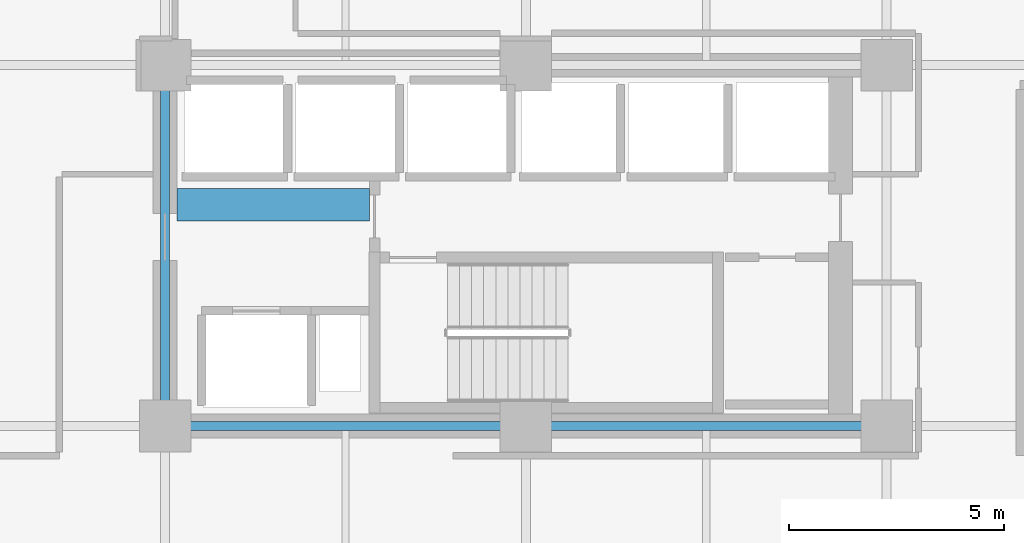
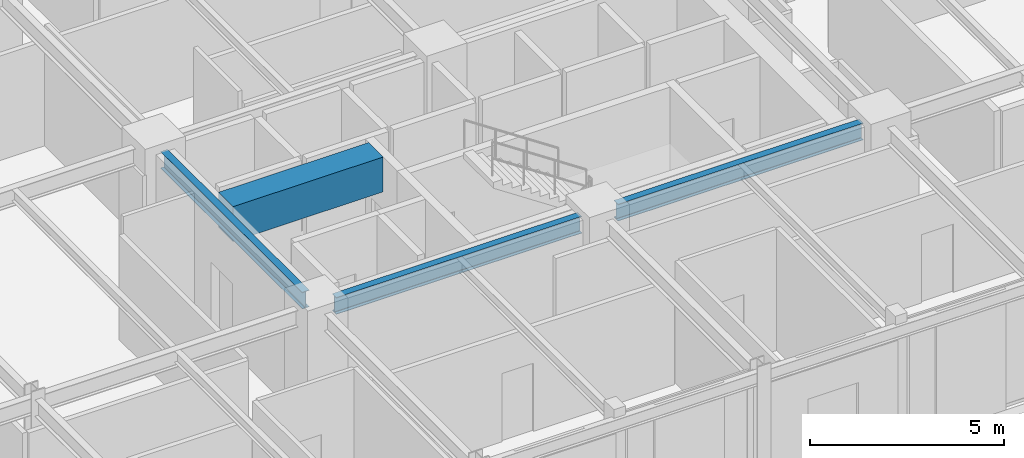
# One storey, part 10 of 38: 4 beams.
"""IFC4 building model written with IfcOpenShell, lengths in metres."""

from ifc_helpers import new_model, si_unit, direction, frame, origin, origin_2d, place, context, subcontext, project, spatial, rectangle, i_section, extrude, material, material_profile, profile_set, type_object, element, save


model = new_model("IFC4")

# Units and contexts
model_context = context("Model", 3, precision=1e-05, world=origin(), true_north=direction((0.0, 1.0)))
body_context = subcontext(model_context, "Body", "Model", "MODEL_VIEW")
ifc_project = project(units=[si_unit("LENGTHUNIT", "METRE"), si_unit("AREAUNIT", "SQUARE_METRE"), si_unit("VOLUMEUNIT", "CUBIC_METRE"), si_unit("PLANEANGLEUNIT", "RADIAN"), si_unit("MASSUNIT", "GRAM", prefix="KILO")], contexts=[model_context])

# Site, building, storey
site_placement = place(None, origin())
site = spatial("IfcSite", under=ifc_project, at=site_placement, CompositionType="ELEMENT")
building_placement = place(site_placement, origin())
building = spatial("IfcBuilding", under=site, at=building_placement, Name="Nerrivon Quay Data Exchange", CompositionType="ELEMENT")
storey_placement = place(building_placement, frame((0.0, 0.0, 88.5)))
storey = spatial("IfcBuildingStorey", under=building, at=storey_placement, Name="L20", CompositionType="ELEMENT", Elevation=88.5)

# Beams
ifc_material_1 = material(Name="Concrete S65 (65 MPa)", Category="concrete")
ifc_material_profile_1 = material_profile(ifc_material_1, rectangle(XDim=0.75, YDim=1.10009765625, at=origin_2d()), Name="RC-CB-750x1100")
ifc_profile_set_1 = profile_set([ifc_material_profile_1], Name="Concrete S65 (65 MPa)")
beam_type_1 = type_object("IfcBeamType", Name="BM-CB1-750x1100", PredefinedType="LINTEL", material=ifc_profile_set_1)
beam_1_placement = place(storey_placement, frame((17.074951171875, 13.550048828125, 3.27490234375), z_axis=(1.0, 0.0, 0.0), x_axis=(0.0, 1.0, 0.0)))
element("IfcBeam", 1, at=beam_1_placement, inside=storey, type_object=beam_type_1, Name="L20 East Core Coupling Beam", PredefinedType="LINTEL", context=body_context, shape_type="SweptSolid", body=[
    extrude(rectangle(XDim=0.75, YDim=1.10009765625, at=origin_2d()), origin(), (0.0, 0.0, 1.0), 4.47998046875),
])
ifc_material_2 = material(Name="Steel Grade 350", Category="steel")
ifc_material_profile_2 = material_profile(ifc_material_2, i_section(OverallWidth=0.208984375, OverallDepth=0.532958984375, WebThickness=0.01025390625, FlangeThickness=0.015625, FilletRadius=0.013916015625, at=origin_2d()), Name="530UB92.4")
ifc_profile_set_2 = profile_set([ifc_material_profile_2], Name="Steel Grade 350")
beam_type_2 = type_object("IfcBeamType", Name="BM-G3-530UB92", PredefinedType="BEAM", material=ifc_profile_set_2)
beam_2_placement = place(storey_placement, frame((17.340087890625, 8.39990234375, 3.55859375), z_axis=(1.0, 0.0, 0.0), x_axis=(0.0, 1.0, 0.0)))
element("IfcBeam", 2, at=beam_2_placement, inside=storey, type_object=beam_type_2, Name="L20 EW Girder Y=8.4 (16.8..25.2)", PredefinedType="BEAM", context=body_context, shape_type="SweptSolid", body=[
    extrude(i_section(OverallWidth=0.208984375, OverallDepth=0.532958984375, WebThickness=0.01025390625, FlangeThickness=0.015625, FilletRadius=0.013916015625, at=origin_2d()), origin(), (0.0, 0.0, 1.0), 7.31982421875),
])
beam_3_placement = place(storey_placement, frame((25.739990234375, 8.39990234375, 3.55859375), z_axis=(1.0, 0.0, 0.0), x_axis=(0.0, 1.0, 0.0)))
element("IfcBeam", 3, at=beam_3_placement, inside=storey, type_object=beam_type_2, Name="L20 EW Girder Y=8.4 (25.2..33.6)", PredefinedType="BEAM", context=body_context, shape_type="SweptSolid", body=[
    extrude(i_section(OverallWidth=0.208984375, OverallDepth=0.532958984375, WebThickness=0.01025390625, FlangeThickness=0.015625, FilletRadius=0.013916015625, at=origin_2d()), origin(), (0.0, 0.0, 1.0), 7.320068359375),
])
ifc_material_profile_3 = material_profile(ifc_material_2, i_section(OverallWidth=0.208984375, OverallDepth=0.528076171875, WebThickness=0.009521484375, FlangeThickness=0.01318359375, FilletRadius=0.013916015625, at=origin_2d()), Name="530UB82.0")
ifc_profile_set_3 = profile_set([ifc_material_profile_3], Name="Steel Grade 350")
beam_type_3 = type_object("IfcBeamType", Name="BM-G4-530UB82", PredefinedType="BEAM", material=ifc_profile_set_3)
beam_4_placement = place(storey_placement, frame((16.800048828125, 8.93994140625, 3.56103515625), z_axis=(0.0, 1.0, 0.0), x_axis=(-1.0, 0.0, 0.0)))
element("IfcBeam", 4, at=beam_4_placement, inside=storey, type_object=beam_type_3, Name="L20 NS Girder X=16.8 (8.4..16.8)", PredefinedType="BEAM", context=body_context, shape_type="SweptSolid", body=[
    extrude(i_section(OverallWidth=0.208984375, OverallDepth=0.528076171875, WebThickness=0.009521484375, FlangeThickness=0.01318359375, FilletRadius=0.013916015625, at=origin_2d()), origin(), (0.0, 0.0, 1.0), 7.320068359375),
])

save(model, "model.ifc")
